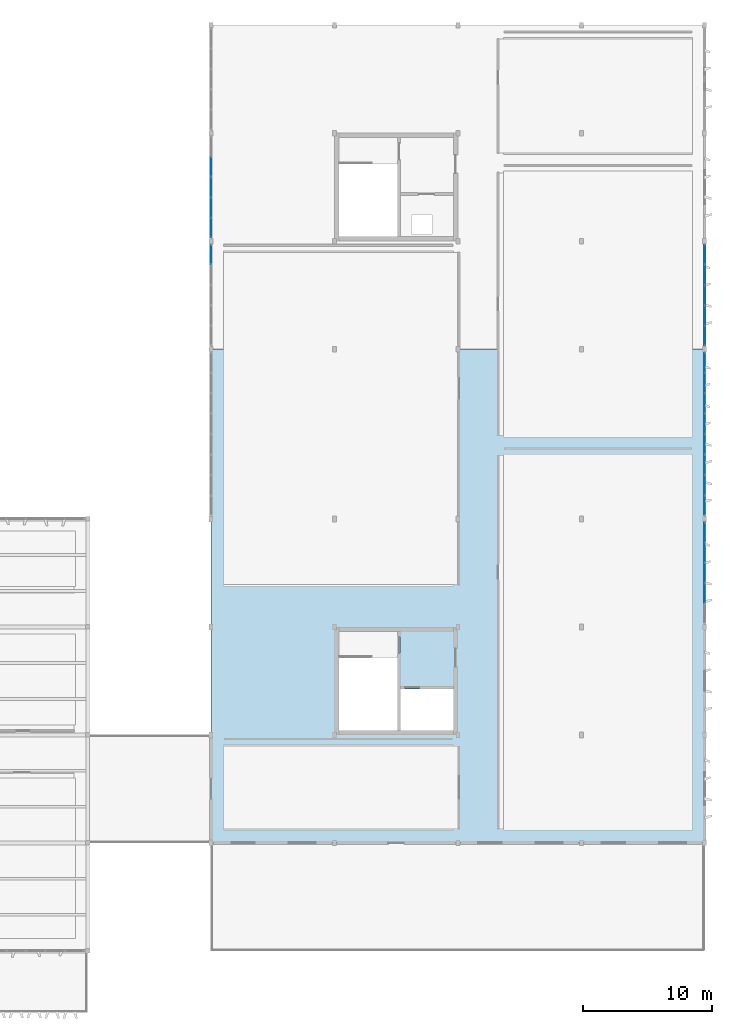
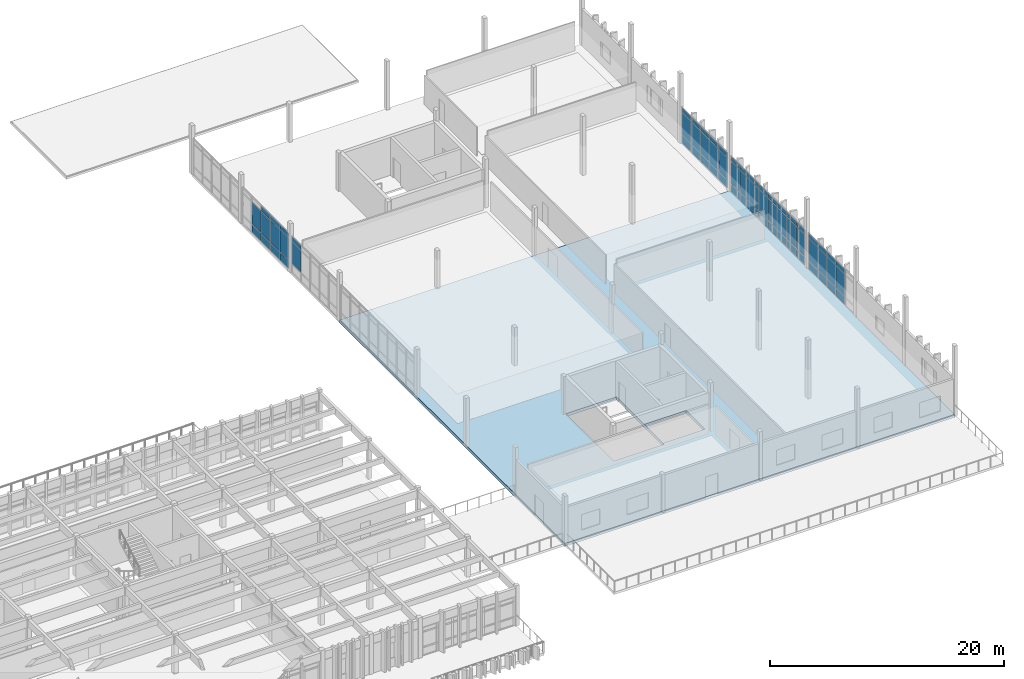
# One storey, part 35 of 61: 64 plates, 1 slab, 5 elements without a shape of their own.
"""IFC4 building model written with IfcOpenShell, lengths in metres."""

from ifc_helpers import new_model, si_unit, direction, frame, origin, origin_2d, place, context, subcontext, project, spatial, polyline, rectangle, outline, extrude, material, layer, layer_set, type_object, element, aggregate, save


model = new_model("IFC4")

# Units and contexts
model_context = context("Model", 3, precision=1e-05, world=origin(), true_north=direction((0.0, 1.0)))
body_context = subcontext(model_context, "Body", "Model", "MODEL_VIEW")
ifc_project = project(units=[si_unit("LENGTHUNIT", "METRE"), si_unit("AREAUNIT", "SQUARE_METRE"), si_unit("VOLUMEUNIT", "CUBIC_METRE"), si_unit("PLANEANGLEUNIT", "RADIAN"), si_unit("MASSUNIT", "GRAM", prefix="KILO")], contexts=[model_context])

# Site, building, storey
site_placement = place(None, origin())
site = spatial("IfcSite", under=ifc_project, at=site_placement, CompositionType="ELEMENT")
building_placement = place(site_placement, origin())
building = spatial("IfcBuilding", under=site, at=building_placement, Name="Kolvemor Railside Polytechnic", CompositionType="ELEMENT")
storey_placement = place(building_placement, frame((0.0, 0.0, 10.199951171875)))
storey = spatial("IfcBuildingStorey", under=building, at=storey_placement, Name="L02", CompositionType="ELEMENT", Elevation=10.199951171875)

# Curtain wall, plates
ifc_material_1 = material(Name="Anodised marine aluminium and laminated low-E glass", Category="aluminium")
ifc_layer_1 = layer(ifc_material_1, 0.179931640625, Name="CW-UNIT-STD")
ifc_layer_set_1 = layer_set([ifc_layer_1], Name="Anodised marine aluminium and laminated low-E glass")
curtain_wall_type = type_object("IfcCurtainWallType", Name="CW-UNIT-STD", PredefinedType="USERDEFINED", material=ifc_layer_set_1)
curtain_wall_1_placement = place(storey_placement, origin())
curtain_wall_1 = element("IfcCurtainWall", 1, at=curtain_wall_1_placement, inside=storey, type_object=curtain_wall_type, Name="Curtain Wall L02-051", ObjectType="UNITISED CURTAIN WALL", PredefinedType="USERDEFINED")
ifc_material_2 = material(Name="Hurricane-laminated solar-control low-E glass", Category="glass")
ifc_layer_2 = layer(ifc_material_2, 0.0400390625, Name="CWP-GLZ-10")
ifc_layer_set_2 = layer_set([ifc_layer_2], Name="Hurricane-laminated solar-control low-E glass")
plate_type_1 = type_object("IfcPlateType", Name="CWP-GLZ-10", PredefinedType="CURTAIN_PANEL", material=ifc_layer_set_2)
plate_1_placement = place(storey_placement, frame((182.39990234375, 32.615966796875, 0.074951171875), z_axis=(0.0, 0.0, 1.0), x_axis=(0.0, 1.0, 0.0)))
plate_1 = element("IfcPlate", 2, at=plate_1_placement, type_object=plate_type_1, Name="CW-STD panel 2.1", PredefinedType="CURTAIN_PANEL", context=body_context, shape_type="SweptSolid", body=[
    extrude(rectangle(XDim=1.509033203125, YDim=0.0400390625, at=origin_2d()), origin(), (0.0, 0.0, 1.0), 0.78759765625),
])
plate_2_placement = place(storey_placement, frame((182.39990234375, 32.615966796875, 0.9375), z_axis=(0.0, 0.0, 1.0), x_axis=(0.0, 1.0, 0.0)))
plate_2 = element("IfcPlate", 3, at=plate_2_placement, type_object=plate_type_1, Name="CW-STD panel 2.2", PredefinedType="CURTAIN_PANEL", context=body_context, shape_type="SweptSolid", body=[
    extrude(rectangle(XDim=1.509033203125, YDim=0.0400390625, at=origin_2d()), origin(), (0.0, 0.0, 1.0), 2.27490234375),
])
plate_3_placement = place(storey_placement, frame((182.39990234375, 32.615966796875, 3.28759765625), z_axis=(0.0, 0.0, 1.0), x_axis=(0.0, 1.0, 0.0)))
plate_3 = element("IfcPlate", 4, at=plate_3_placement, type_object=plate_type_1, Name="CW-STD panel 2.3", PredefinedType="CURTAIN_PANEL", context=body_context, shape_type="SweptSolid", body=[
    extrude(rectangle(XDim=1.509033203125, YDim=0.0400390625, at=origin_2d()), origin(), (0.0, 0.0, 1.0), 0.4375),
])
plate_4_placement = place(storey_placement, frame((182.39990234375, 34.199951171875, 0.074951171875), z_axis=(0.0, 0.0, 1.0), x_axis=(0.0, 1.0, 0.0)))
plate_4 = element("IfcPlate", 5, at=plate_4_placement, type_object=plate_type_1, Name="CW-STD panel 3.1", PredefinedType="CURTAIN_PANEL", context=body_context, shape_type="SweptSolid", body=[
    extrude(rectangle(XDim=1.509033203125, YDim=0.0400390625, at=origin_2d()), origin(), (0.0, 0.0, 1.0), 0.78759765625),
])
plate_5_placement = place(storey_placement, frame((182.39990234375, 34.199951171875, 0.9375), z_axis=(0.0, 0.0, 1.0), x_axis=(0.0, 1.0, 0.0)))
plate_5 = element("IfcPlate", 6, at=plate_5_placement, type_object=plate_type_1, Name="CW-STD panel 3.2", PredefinedType="CURTAIN_PANEL", context=body_context, shape_type="SweptSolid", body=[
    extrude(rectangle(XDim=1.509033203125, YDim=0.0400390625, at=origin_2d()), origin(), (0.0, 0.0, 1.0), 2.27490234375),
])
plate_6_placement = place(storey_placement, frame((182.39990234375, 34.199951171875, 3.28759765625), z_axis=(0.0, 0.0, 1.0), x_axis=(0.0, 1.0, 0.0)))
plate_6 = element("IfcPlate", 7, at=plate_6_placement, type_object=plate_type_1, Name="CW-STD panel 3.3", PredefinedType="CURTAIN_PANEL", context=body_context, shape_type="SweptSolid", body=[
    extrude(rectangle(XDim=1.509033203125, YDim=0.0400390625, at=origin_2d()), origin(), (0.0, 0.0, 1.0), 0.4375),
])
plate_7_placement = place(storey_placement, frame((182.39990234375, 35.783935546875, 0.074951171875), z_axis=(0.0, 0.0, 1.0), x_axis=(0.0, 1.0, 0.0)))
plate_7 = element("IfcPlate", 8, at=plate_7_placement, type_object=plate_type_1, Name="CW-STD panel 4.1", PredefinedType="CURTAIN_PANEL", context=body_context, shape_type="SweptSolid", body=[
    extrude(rectangle(XDim=1.509033203125, YDim=0.0400390625, at=origin_2d()), origin(), (0.0, 0.0, 1.0), 0.78759765625),
])
plate_8_placement = place(storey_placement, frame((182.39990234375, 35.783935546875, 0.9375), z_axis=(0.0, 0.0, 1.0), x_axis=(0.0, 1.0, 0.0)))
plate_8 = element("IfcPlate", 9, at=plate_8_placement, type_object=plate_type_1, Name="CW-STD panel 4.2", PredefinedType="CURTAIN_PANEL", context=body_context, shape_type="SweptSolid", body=[
    extrude(rectangle(XDim=1.509033203125, YDim=0.0400390625, at=origin_2d()), origin(), (0.0, 0.0, 1.0), 2.27490234375),
])
plate_9_placement = place(storey_placement, frame((182.39990234375, 35.783935546875, 3.28759765625), z_axis=(0.0, 0.0, 1.0), x_axis=(0.0, 1.0, 0.0)))
plate_9 = element("IfcPlate", 10, at=plate_9_placement, type_object=plate_type_1, Name="CW-STD panel 4.3", PredefinedType="CURTAIN_PANEL", context=body_context, shape_type="SweptSolid", body=[
    extrude(rectangle(XDim=1.509033203125, YDim=0.0400390625, at=origin_2d()), origin(), (0.0, 0.0, 1.0), 0.4375),
])
plate_10_placement = place(storey_placement, frame((182.39990234375, 37.349365234375, 0.074951171875), z_axis=(0.0, 0.0, 1.0), x_axis=(0.0, 1.0, 0.0)))
plate_10 = element("IfcPlate", 11, at=plate_10_placement, type_object=plate_type_1, Name="CW-STD panel 5.1", PredefinedType="CURTAIN_PANEL", context=body_context, shape_type="SweptSolid", body=[
    extrude(rectangle(XDim=1.471435546875, YDim=0.0400390625, at=origin_2d()), origin(), (0.0, 0.0, 1.0), 0.78759765625),
])
plate_11_placement = place(storey_placement, frame((182.39990234375, 37.349365234375, 0.9375), z_axis=(0.0, 0.0, 1.0), x_axis=(0.0, 1.0, 0.0)))
plate_11 = element("IfcPlate", 12, at=plate_11_placement, type_object=plate_type_1, Name="CW-STD panel 5.2", PredefinedType="CURTAIN_PANEL", context=body_context, shape_type="SweptSolid", body=[
    extrude(rectangle(XDim=1.471435546875, YDim=0.0400390625, at=origin_2d()), origin(), (0.0, 0.0, 1.0), 2.27490234375),
])
plate_12_placement = place(storey_placement, frame((182.39990234375, 37.349365234375, 3.28759765625), z_axis=(0.0, 0.0, 1.0), x_axis=(0.0, 1.0, 0.0)))
plate_12 = element("IfcPlate", 13, at=plate_12_placement, type_object=plate_type_1, Name="CW-STD panel 5.3", PredefinedType="CURTAIN_PANEL", context=body_context, shape_type="SweptSolid", body=[
    extrude(rectangle(XDim=1.471435546875, YDim=0.0400390625, at=origin_2d()), origin(), (0.0, 0.0, 1.0), 0.4375),
])
aggregate(curtain_wall_1, [plate_1, plate_2, plate_3, plate_4, plate_5, plate_6, plate_7, plate_8, plate_9, plate_10, plate_11, plate_12])

curtain_wall_2_placement = place(storey_placement, origin())
curtain_wall_2 = element("IfcCurtainWall", 14, at=curtain_wall_2_placement, inside=storey, type_object=curtain_wall_type, Name="Curtain Wall L02-063", ObjectType="UNITISED CURTAIN WALL", PredefinedType="USERDEFINED")
ifc_material_3 = material(Name="Hurricane-laminated solar-control low-E glass", Category="glass")
ifc_layer_3 = layer(ifc_material_3, 0.0419921875, Name="CWP-GLZ-11")
ifc_layer_set_3 = layer_set([ifc_layer_3], Name="Hurricane-laminated solar-control low-E glass")
plate_type_2 = type_object("IfcPlateType", Name="CWP-GLZ-11", PredefinedType="CURTAIN_PANEL", material=ifc_layer_set_3)
plate_13_placement = place(storey_placement, frame((182.39990234375, 39.453857421875, 0.074951171875), z_axis=(0.0, 0.0, 1.0), x_axis=(0.0, 1.0, 0.0)))
plate_13 = element("IfcPlate", 15, at=plate_13_placement, type_object=plate_type_2, Name="CW-STD panel 1.1", PredefinedType="CURTAIN_PANEL", context=body_context, shape_type="SweptSolid", body=[
    extrude(rectangle(XDim=1.4775390625, YDim=0.0419921875, at=origin_2d()), origin(), (0.0, 0.0, 1.0), 0.78759765625),
])
plate_14_placement = place(storey_placement, frame((182.39990234375, 39.453857421875, 0.9375), z_axis=(0.0, 0.0, 1.0), x_axis=(0.0, 1.0, 0.0)))
plate_14 = element("IfcPlate", 16, at=plate_14_placement, type_object=plate_type_2, Name="CW-STD panel 1.2", PredefinedType="CURTAIN_PANEL", context=body_context, shape_type="SweptSolid", body=[
    extrude(rectangle(XDim=1.4775390625, YDim=0.0419921875, at=origin_2d()), origin(), (0.0, 0.0, 1.0), 2.27490234375),
])
plate_15_placement = place(storey_placement, frame((182.39990234375, 39.453857421875, 3.28759765625), z_axis=(0.0, 0.0, 1.0), x_axis=(0.0, 1.0, 0.0)))
plate_15 = element("IfcPlate", 17, at=plate_15_placement, type_object=plate_type_2, Name="CW-STD panel 1.3", PredefinedType="CURTAIN_PANEL", context=body_context, shape_type="SweptSolid", body=[
    extrude(rectangle(XDim=1.4775390625, YDim=0.0419921875, at=origin_2d()), origin(), (0.0, 0.0, 1.0), 0.4375),
])
plate_16_placement = place(storey_placement, frame((182.39990234375, 41.02490234375, 0.074951171875), z_axis=(0.0, 0.0, 1.0), x_axis=(0.0, 1.0, 0.0)))
plate_16 = element("IfcPlate", 18, at=plate_16_placement, type_object=plate_type_2, Name="CW-STD panel 2.1", PredefinedType="CURTAIN_PANEL", context=body_context, shape_type="SweptSolid", body=[
    extrude(rectangle(XDim=1.514892578125, YDim=0.0419921875, at=origin_2d()), origin(), (0.0, 0.0, 1.0), 0.78759765625),
])
plate_17_placement = place(storey_placement, frame((182.39990234375, 41.02490234375, 0.9375), z_axis=(0.0, 0.0, 1.0), x_axis=(0.0, 1.0, 0.0)))
plate_17 = element("IfcPlate", 19, at=plate_17_placement, type_object=plate_type_2, Name="CW-STD panel 2.2", PredefinedType="CURTAIN_PANEL", context=body_context, shape_type="SweptSolid", body=[
    extrude(rectangle(XDim=1.514892578125, YDim=0.0419921875, at=origin_2d()), origin(), (0.0, 0.0, 1.0), 2.27490234375),
])
plate_18_placement = place(storey_placement, frame((182.39990234375, 41.02490234375, 3.28759765625), z_axis=(0.0, 0.0, 1.0), x_axis=(0.0, 1.0, 0.0)))
plate_18 = element("IfcPlate", 20, at=plate_18_placement, type_object=plate_type_2, Name="CW-STD panel 2.3", PredefinedType="CURTAIN_PANEL", context=body_context, shape_type="SweptSolid", body=[
    extrude(rectangle(XDim=1.514892578125, YDim=0.0419921875, at=origin_2d()), origin(), (0.0, 0.0, 1.0), 0.4375),
])
plate_19_placement = place(storey_placement, frame((182.39990234375, 42.614990234375, 0.074951171875), z_axis=(0.0, 0.0, 1.0), x_axis=(0.0, 1.0, 0.0)))
plate_19 = element("IfcPlate", 21, at=plate_19_placement, type_object=plate_type_2, Name="CW-STD panel 3.1", PredefinedType="CURTAIN_PANEL", context=body_context, shape_type="SweptSolid", body=[
    extrude(rectangle(XDim=1.514892578125, YDim=0.0419921875, at=origin_2d()), origin(), (0.0, 0.0, 1.0), 0.78759765625),
])
plate_20_placement = place(storey_placement, frame((182.39990234375, 42.614990234375, 0.9375), z_axis=(0.0, 0.0, 1.0), x_axis=(0.0, 1.0, 0.0)))
plate_20 = element("IfcPlate", 22, at=plate_20_placement, type_object=plate_type_2, Name="CW-STD panel 3.2", PredefinedType="CURTAIN_PANEL", context=body_context, shape_type="SweptSolid", body=[
    extrude(rectangle(XDim=1.514892578125, YDim=0.0419921875, at=origin_2d()), origin(), (0.0, 0.0, 1.0), 2.27490234375),
])
plate_21_placement = place(storey_placement, frame((182.39990234375, 42.614990234375, 3.28759765625), z_axis=(0.0, 0.0, 1.0), x_axis=(0.0, 1.0, 0.0)))
plate_21 = element("IfcPlate", 23, at=plate_21_placement, type_object=plate_type_2, Name="CW-STD panel 3.3", PredefinedType="CURTAIN_PANEL", context=body_context, shape_type="SweptSolid", body=[
    extrude(rectangle(XDim=1.514892578125, YDim=0.0419921875, at=origin_2d()), origin(), (0.0, 0.0, 1.0), 0.4375),
])
plate_22_placement = place(storey_placement, frame((182.39990234375, 44.205078125, 0.074951171875), z_axis=(0.0, 0.0, 1.0), x_axis=(0.0, 1.0, 0.0)))
plate_22 = element("IfcPlate", 24, at=plate_22_placement, type_object=plate_type_2, Name="CW-STD panel 4.1", PredefinedType="CURTAIN_PANEL", context=body_context, shape_type="SweptSolid", body=[
    extrude(rectangle(XDim=1.514892578125, YDim=0.0419921875, at=origin_2d()), origin(), (0.0, 0.0, 1.0), 0.78759765625),
])
plate_23_placement = place(storey_placement, frame((182.39990234375, 44.205078125, 0.9375), z_axis=(0.0, 0.0, 1.0), x_axis=(0.0, 1.0, 0.0)))
plate_23 = element("IfcPlate", 25, at=plate_23_placement, type_object=plate_type_2, Name="CW-STD panel 4.2", PredefinedType="CURTAIN_PANEL", context=body_context, shape_type="SweptSolid", body=[
    extrude(rectangle(XDim=1.514892578125, YDim=0.0419921875, at=origin_2d()), origin(), (0.0, 0.0, 1.0), 2.27490234375),
])
plate_24_placement = place(storey_placement, frame((182.39990234375, 44.205078125, 3.28759765625), z_axis=(0.0, 0.0, 1.0), x_axis=(0.0, 1.0, 0.0)))
plate_24 = element("IfcPlate", 26, at=plate_24_placement, type_object=plate_type_2, Name="CW-STD panel 4.3", PredefinedType="CURTAIN_PANEL", context=body_context, shape_type="SweptSolid", body=[
    extrude(rectangle(XDim=1.514892578125, YDim=0.0419921875, at=origin_2d()), origin(), (0.0, 0.0, 1.0), 0.4375),
])
plate_25_placement = place(storey_placement, frame((182.39990234375, 45.794921875, 0.074951171875), z_axis=(0.0, 0.0, 1.0), x_axis=(0.0, 1.0, 0.0)))
plate_25 = element("IfcPlate", 27, at=plate_25_placement, type_object=plate_type_2, Name="CW-STD panel 5.1", PredefinedType="CURTAIN_PANEL", context=body_context, shape_type="SweptSolid", body=[
    extrude(rectangle(XDim=1.514892578125, YDim=0.0419921875, at=origin_2d()), origin(), (0.0, 0.0, 1.0), 0.78759765625),
])
plate_26_placement = place(storey_placement, frame((182.39990234375, 45.794921875, 0.9375), z_axis=(0.0, 0.0, 1.0), x_axis=(0.0, 1.0, 0.0)))
plate_26 = element("IfcPlate", 28, at=plate_26_placement, type_object=plate_type_2, Name="CW-STD panel 5.2", PredefinedType="CURTAIN_PANEL", context=body_context, shape_type="SweptSolid", body=[
    extrude(rectangle(XDim=1.514892578125, YDim=0.0419921875, at=origin_2d()), origin(), (0.0, 0.0, 1.0), 2.27490234375),
])
plate_27_placement = place(storey_placement, frame((182.39990234375, 45.794921875, 3.28759765625), z_axis=(0.0, 0.0, 1.0), x_axis=(0.0, 1.0, 0.0)))
plate_27 = element("IfcPlate", 29, at=plate_27_placement, type_object=plate_type_2, Name="CW-STD panel 5.3", PredefinedType="CURTAIN_PANEL", context=body_context, shape_type="SweptSolid", body=[
    extrude(rectangle(XDim=1.514892578125, YDim=0.0419921875, at=origin_2d()), origin(), (0.0, 0.0, 1.0), 0.4375),
])
plate_28_placement = place(storey_placement, frame((182.39990234375, 47.385009765625, 0.074951171875), z_axis=(0.0, 0.0, 1.0), x_axis=(0.0, 1.0, 0.0)))
plate_28 = element("IfcPlate", 30, at=plate_28_placement, type_object=plate_type_2, Name="CW-STD panel 6.1", PredefinedType="CURTAIN_PANEL", context=body_context, shape_type="SweptSolid", body=[
    extrude(rectangle(XDim=1.514892578125, YDim=0.0419921875, at=origin_2d()), origin(), (0.0, 0.0, 1.0), 0.78759765625),
])
plate_29_placement = place(storey_placement, frame((182.39990234375, 47.385009765625, 0.9375), z_axis=(0.0, 0.0, 1.0), x_axis=(0.0, 1.0, 0.0)))
plate_29 = element("IfcPlate", 31, at=plate_29_placement, type_object=plate_type_2, Name="CW-STD panel 6.2", PredefinedType="CURTAIN_PANEL", context=body_context, shape_type="SweptSolid", body=[
    extrude(rectangle(XDim=1.514892578125, YDim=0.0419921875, at=origin_2d()), origin(), (0.0, 0.0, 1.0), 2.27490234375),
])
plate_30_placement = place(storey_placement, frame((182.39990234375, 47.385009765625, 3.28759765625), z_axis=(0.0, 0.0, 1.0), x_axis=(0.0, 1.0, 0.0)))
plate_30 = element("IfcPlate", 32, at=plate_30_placement, type_object=plate_type_2, Name="CW-STD panel 6.3", PredefinedType="CURTAIN_PANEL", context=body_context, shape_type="SweptSolid", body=[
    extrude(rectangle(XDim=1.514892578125, YDim=0.0419921875, at=origin_2d()), origin(), (0.0, 0.0, 1.0), 0.4375),
])
plate_31_placement = place(storey_placement, frame((182.39990234375, 48.97509765625, 0.074951171875), z_axis=(0.0, 0.0, 1.0), x_axis=(0.0, 1.0, 0.0)))
plate_31 = element("IfcPlate", 33, at=plate_31_placement, type_object=plate_type_2, Name="CW-STD panel 7.1", PredefinedType="CURTAIN_PANEL", context=body_context, shape_type="SweptSolid", body=[
    extrude(rectangle(XDim=1.514892578125, YDim=0.0419921875, at=origin_2d()), origin(), (0.0, 0.0, 1.0), 0.78759765625),
])
plate_32_placement = place(storey_placement, frame((182.39990234375, 48.97509765625, 0.9375), z_axis=(0.0, 0.0, 1.0), x_axis=(0.0, 1.0, 0.0)))
plate_32 = element("IfcPlate", 34, at=plate_32_placement, type_object=plate_type_2, Name="CW-STD panel 7.2", PredefinedType="CURTAIN_PANEL", context=body_context, shape_type="SweptSolid", body=[
    extrude(rectangle(XDim=1.514892578125, YDim=0.0419921875, at=origin_2d()), origin(), (0.0, 0.0, 1.0), 2.27490234375),
])
plate_33_placement = place(storey_placement, frame((182.39990234375, 48.97509765625, 3.28759765625), z_axis=(0.0, 0.0, 1.0), x_axis=(0.0, 1.0, 0.0)))
plate_33 = element("IfcPlate", 35, at=plate_33_placement, type_object=plate_type_2, Name="CW-STD panel 7.3", PredefinedType="CURTAIN_PANEL", context=body_context, shape_type="SweptSolid", body=[
    extrude(rectangle(XDim=1.514892578125, YDim=0.0419921875, at=origin_2d()), origin(), (0.0, 0.0, 1.0), 0.4375),
])
plate_34_placement = place(storey_placement, frame((182.39990234375, 50.546142578125, 0.074951171875), z_axis=(0.0, 0.0, 1.0), x_axis=(0.0, 1.0, 0.0)))
plate_34 = element("IfcPlate", 36, at=plate_34_placement, type_object=plate_type_2, Name="CW-STD panel 8.1", PredefinedType="CURTAIN_PANEL", context=body_context, shape_type="SweptSolid", body=[
    extrude(rectangle(XDim=1.4775390625, YDim=0.0419921875, at=origin_2d()), origin(), (0.0, 0.0, 1.0), 0.78759765625),
])
plate_35_placement = place(storey_placement, frame((182.39990234375, 50.546142578125, 0.9375), z_axis=(0.0, 0.0, 1.0), x_axis=(0.0, 1.0, 0.0)))
plate_35 = element("IfcPlate", 37, at=plate_35_placement, type_object=plate_type_2, Name="CW-STD panel 8.2", PredefinedType="CURTAIN_PANEL", context=body_context, shape_type="SweptSolid", body=[
    extrude(rectangle(XDim=1.4775390625, YDim=0.0419921875, at=origin_2d()), origin(), (0.0, 0.0, 1.0), 2.27490234375),
])
plate_36_placement = place(storey_placement, frame((182.39990234375, 50.546142578125, 3.28759765625), z_axis=(0.0, 0.0, 1.0), x_axis=(0.0, 1.0, 0.0)))
plate_36 = element("IfcPlate", 38, at=plate_36_placement, type_object=plate_type_2, Name="CW-STD panel 8.3", PredefinedType="CURTAIN_PANEL", context=body_context, shape_type="SweptSolid", body=[
    extrude(rectangle(XDim=1.4775390625, YDim=0.0419921875, at=origin_2d()), origin(), (0.0, 0.0, 1.0), 0.4375),
])
aggregate(curtain_wall_2, [plate_13, plate_14, plate_15, plate_16, plate_17, plate_18, plate_19, plate_20, plate_21, plate_22, plate_23, plate_24, plate_25, plate_26, plate_27, plate_28, plate_29, plate_30, plate_31, plate_32, plate_33, plate_34, plate_35, plate_36])

curtain_wall_3_placement = place(storey_placement, origin())
curtain_wall_3 = element("IfcCurtainWall", 39, at=curtain_wall_3_placement, inside=storey, type_object=curtain_wall_type, Name="Curtain Wall L02-073", ObjectType="UNITISED CURTAIN WALL", PredefinedType="USERDEFINED")
ifc_material_4 = material(Name="Hurricane-laminated solar-control low-E glass", Category="glass")
ifc_layer_4 = layer(ifc_material_4, 0.0439453125, Name="CWP-GLZ-12")
ifc_layer_set_4 = layer_set([ifc_layer_4], Name="Hurricane-laminated solar-control low-E glass")
plate_type_3 = type_object("IfcPlateType", Name="CWP-GLZ-12", PredefinedType="CURTAIN_PANEL", material=ifc_layer_set_4)
plate_37_placement = place(storey_placement, frame((182.39990234375, 52.650634765625, 0.074951171875), z_axis=(0.0, 0.0, 1.0), x_axis=(0.0, 1.0, 0.0)))
plate_37 = element("IfcPlate", 40, at=plate_37_placement, type_object=plate_type_3, Name="CW-STD panel 1.1", PredefinedType="CURTAIN_PANEL", context=body_context, shape_type="SweptSolid", body=[
    extrude(rectangle(XDim=1.471435546875, YDim=0.0439453125, at=origin_2d()), origin(), (0.0, 0.0, 1.0), 0.78759765625),
])
plate_38_placement = place(storey_placement, frame((182.39990234375, 52.650634765625, 0.9375), z_axis=(0.0, 0.0, 1.0), x_axis=(0.0, 1.0, 0.0)))
plate_38 = element("IfcPlate", 41, at=plate_38_placement, type_object=plate_type_3, Name="CW-STD panel 1.2", PredefinedType="CURTAIN_PANEL", context=body_context, shape_type="SweptSolid", body=[
    extrude(rectangle(XDim=1.471435546875, YDim=0.0439453125, at=origin_2d()), origin(), (0.0, 0.0, 1.0), 2.27490234375),
])
plate_39_placement = place(storey_placement, frame((182.39990234375, 52.650634765625, 3.28759765625), z_axis=(0.0, 0.0, 1.0), x_axis=(0.0, 1.0, 0.0)))
plate_39 = element("IfcPlate", 42, at=plate_39_placement, type_object=plate_type_3, Name="CW-STD panel 1.3", PredefinedType="CURTAIN_PANEL", context=body_context, shape_type="SweptSolid", body=[
    extrude(rectangle(XDim=1.471435546875, YDim=0.0439453125, at=origin_2d()), origin(), (0.0, 0.0, 1.0), 0.4375),
])
plate_40_placement = place(storey_placement, frame((182.39990234375, 54.216064453125, 0.074951171875), z_axis=(0.0, 0.0, 1.0), x_axis=(0.0, 1.0, 0.0)))
plate_40 = element("IfcPlate", 43, at=plate_40_placement, type_object=plate_type_3, Name="CW-STD panel 2.1", PredefinedType="CURTAIN_PANEL", context=body_context, shape_type="SweptSolid", body=[
    extrude(rectangle(XDim=1.509033203125, YDim=0.0439453125, at=origin_2d()), origin(), (0.0, 0.0, 1.0), 0.78759765625),
])
plate_41_placement = place(storey_placement, frame((182.39990234375, 54.216064453125, 0.9375), z_axis=(0.0, 0.0, 1.0), x_axis=(0.0, 1.0, 0.0)))
plate_41 = element("IfcPlate", 44, at=plate_41_placement, type_object=plate_type_3, Name="CW-STD panel 2.2", PredefinedType="CURTAIN_PANEL", context=body_context, shape_type="SweptSolid", body=[
    extrude(rectangle(XDim=1.509033203125, YDim=0.0439453125, at=origin_2d()), origin(), (0.0, 0.0, 1.0), 2.27490234375),
])
plate_42_placement = place(storey_placement, frame((182.39990234375, 54.216064453125, 3.28759765625), z_axis=(0.0, 0.0, 1.0), x_axis=(0.0, 1.0, 0.0)))
plate_42 = element("IfcPlate", 45, at=plate_42_placement, type_object=plate_type_3, Name="CW-STD panel 2.3", PredefinedType="CURTAIN_PANEL", context=body_context, shape_type="SweptSolid", body=[
    extrude(rectangle(XDim=1.509033203125, YDim=0.0439453125, at=origin_2d()), origin(), (0.0, 0.0, 1.0), 0.4375),
])
plate_43_placement = place(storey_placement, frame((182.39990234375, 55.800048828125, 0.074951171875), z_axis=(0.0, 0.0, 1.0), x_axis=(0.0, 1.0, 0.0)))
plate_43 = element("IfcPlate", 46, at=plate_43_placement, type_object=plate_type_3, Name="CW-STD panel 3.1", PredefinedType="CURTAIN_PANEL", context=body_context, shape_type="SweptSolid", body=[
    extrude(rectangle(XDim=1.509033203125, YDim=0.0439453125, at=origin_2d()), origin(), (0.0, 0.0, 1.0), 0.78759765625),
])
plate_44_placement = place(storey_placement, frame((182.39990234375, 55.800048828125, 0.9375), z_axis=(0.0, 0.0, 1.0), x_axis=(0.0, 1.0, 0.0)))
plate_44 = element("IfcPlate", 47, at=plate_44_placement, type_object=plate_type_3, Name="CW-STD panel 3.2", PredefinedType="CURTAIN_PANEL", context=body_context, shape_type="SweptSolid", body=[
    extrude(rectangle(XDim=1.509033203125, YDim=0.0439453125, at=origin_2d()), origin(), (0.0, 0.0, 1.0), 2.27490234375),
])
plate_45_placement = place(storey_placement, frame((182.39990234375, 55.800048828125, 3.28759765625), z_axis=(0.0, 0.0, 1.0), x_axis=(0.0, 1.0, 0.0)))
plate_45 = element("IfcPlate", 48, at=plate_45_placement, type_object=plate_type_3, Name="CW-STD panel 3.3", PredefinedType="CURTAIN_PANEL", context=body_context, shape_type="SweptSolid", body=[
    extrude(rectangle(XDim=1.509033203125, YDim=0.0439453125, at=origin_2d()), origin(), (0.0, 0.0, 1.0), 0.4375),
])
plate_46_placement = place(storey_placement, frame((182.39990234375, 57.384033203125, 0.074951171875), z_axis=(0.0, 0.0, 1.0), x_axis=(0.0, 1.0, 0.0)))
plate_46 = element("IfcPlate", 49, at=plate_46_placement, type_object=plate_type_3, Name="CW-STD panel 4.1", PredefinedType="CURTAIN_PANEL", context=body_context, shape_type="SweptSolid", body=[
    extrude(rectangle(XDim=1.509033203125, YDim=0.0439453125, at=origin_2d()), origin(), (0.0, 0.0, 1.0), 0.78759765625),
])
plate_47_placement = place(storey_placement, frame((182.39990234375, 57.384033203125, 0.9375), z_axis=(0.0, 0.0, 1.0), x_axis=(0.0, 1.0, 0.0)))
plate_47 = element("IfcPlate", 50, at=plate_47_placement, type_object=plate_type_3, Name="CW-STD panel 4.2", PredefinedType="CURTAIN_PANEL", context=body_context, shape_type="SweptSolid", body=[
    extrude(rectangle(XDim=1.509033203125, YDim=0.0439453125, at=origin_2d()), origin(), (0.0, 0.0, 1.0), 2.27490234375),
])
plate_48_placement = place(storey_placement, frame((182.39990234375, 57.384033203125, 3.28759765625), z_axis=(0.0, 0.0, 1.0), x_axis=(0.0, 1.0, 0.0)))
plate_48 = element("IfcPlate", 51, at=plate_48_placement, type_object=plate_type_3, Name="CW-STD panel 4.3", PredefinedType="CURTAIN_PANEL", context=body_context, shape_type="SweptSolid", body=[
    extrude(rectangle(XDim=1.509033203125, YDim=0.0439453125, at=origin_2d()), origin(), (0.0, 0.0, 1.0), 0.4375),
])
plate_49_placement = place(storey_placement, frame((182.39990234375, 58.94921875, 0.074951171875), z_axis=(0.0, 0.0, 1.0), x_axis=(0.0, 1.0, 0.0)))
plate_49 = element("IfcPlate", 52, at=plate_49_placement, type_object=plate_type_3, Name="CW-STD panel 5.1", PredefinedType="CURTAIN_PANEL", context=body_context, shape_type="SweptSolid", body=[
    extrude(rectangle(XDim=1.471435546875, YDim=0.0439453125, at=origin_2d()), origin(), (0.0, 0.0, 1.0), 0.78759765625),
])
plate_50_placement = place(storey_placement, frame((182.39990234375, 58.94921875, 0.9375), z_axis=(0.0, 0.0, 1.0), x_axis=(0.0, 1.0, 0.0)))
plate_50 = element("IfcPlate", 53, at=plate_50_placement, type_object=plate_type_3, Name="CW-STD panel 5.2", PredefinedType="CURTAIN_PANEL", context=body_context, shape_type="SweptSolid", body=[
    extrude(rectangle(XDim=1.471435546875, YDim=0.0439453125, at=origin_2d()), origin(), (0.0, 0.0, 1.0), 2.27490234375),
])
plate_51_placement = place(storey_placement, frame((182.39990234375, 58.94921875, 3.28759765625), z_axis=(0.0, 0.0, 1.0), x_axis=(0.0, 1.0, 0.0)))
plate_51 = element("IfcPlate", 54, at=plate_51_placement, type_object=plate_type_3, Name="CW-STD panel 5.3", PredefinedType="CURTAIN_PANEL", context=body_context, shape_type="SweptSolid", body=[
    extrude(rectangle(XDim=1.471435546875, YDim=0.0439453125, at=origin_2d()), origin(), (0.0, 0.0, 1.0), 0.4375),
])
aggregate(curtain_wall_3, [plate_37, plate_38, plate_39, plate_40, plate_41, plate_42, plate_43, plate_44, plate_45, plate_46, plate_47, plate_48, plate_49, plate_50, plate_51])

curtain_wall_4_placement = place(storey_placement, origin())
curtain_wall_4 = element("IfcCurtainWall", 55, at=curtain_wall_4_placement, inside=storey, type_object=curtain_wall_type, Name="Curtain Wall L02-074", ObjectType="UNITISED CURTAIN WALL", PredefinedType="USERDEFINED")
ifc_material_5 = material(Name="Hurricane-laminated solar-control low-E glass", Category="glass")
ifc_layer_5 = layer(ifc_material_5, 0.048095703125, Name="CWP-GLZ-14")
ifc_layer_set_5 = layer_set([ifc_layer_5], Name="Hurricane-laminated solar-control low-E glass")
plate_type_4 = type_object("IfcPlateType", Name="CWP-GLZ-14", PredefinedType="CURTAIN_PANEL", material=ifc_layer_set_5)
plate_52_placement = place(storey_placement, frame((144.0, 58.94921875, 0.9375), z_axis=(0.0, 0.0, 1.0), x_axis=(0.0, -1.0, 0.0)))
plate_52 = element("IfcPlate", 56, at=plate_52_placement, type_object=plate_type_4, Name="CW-STD panel 1.2", PredefinedType="CURTAIN_PANEL", context=body_context, shape_type="SweptSolid", body=[
    extrude(rectangle(XDim=1.471435546875, YDim=0.048095703125, at=origin_2d()), origin(), (0.0, 0.0, 1.0), 2.27490234375),
])
plate_53_placement = place(storey_placement, frame((144.0, 58.94921875, 3.28759765625), z_axis=(0.0, 0.0, 1.0), x_axis=(0.0, -1.0, 0.0)))
plate_53 = element("IfcPlate", 57, at=plate_53_placement, type_object=plate_type_4, Name="CW-STD panel 1.3", PredefinedType="CURTAIN_PANEL", context=body_context, shape_type="SweptSolid", body=[
    extrude(rectangle(XDim=1.471435546875, YDim=0.048095703125, at=origin_2d()), origin(), (0.0, 0.0, 1.0), 0.4375),
])
aggregate(curtain_wall_4, [plate_52, plate_53])

curtain_wall_5_placement = place(storey_placement, origin())
curtain_wall_5 = element("IfcCurtainWall", 58, at=curtain_wall_5_placement, inside=storey, type_object=curtain_wall_type, Name="Curtain Wall L02-081", ObjectType="UNITISED CURTAIN WALL", PredefinedType="USERDEFINED")
ifc_material_6 = material(Name="Hurricane-laminated solar-control low-E glass", Category="glass")
ifc_layer_6 = layer(ifc_material_6, 0.050048828125, Name="CWP-GLZ-15")
ifc_layer_set_6 = layer_set([ifc_layer_6], Name="Hurricane-laminated solar-control low-E glass")
plate_type_5 = type_object("IfcPlateType", Name="CWP-GLZ-15", PredefinedType="CURTAIN_PANEL", material=ifc_layer_set_6)
plate_54_placement = place(storey_placement, frame((144.0, 65.783935546875, 0.074951171875), z_axis=(0.0, 0.0, 1.0), x_axis=(0.0, -1.0, 0.0)))
plate_54 = element("IfcPlate", 59, at=plate_54_placement, type_object=plate_type_5, Name="CW-STD panel 2.1", PredefinedType="CURTAIN_PANEL", context=body_context, shape_type="SweptSolid", body=[
    extrude(rectangle(XDim=1.509033203125, YDim=0.050048828125, at=origin_2d()), origin(), (0.0, 0.0, 1.0), 0.78759765625),
])
plate_55_placement = place(storey_placement, frame((144.0, 65.783935546875, 0.9375), z_axis=(0.0, 0.0, 1.0), x_axis=(0.0, -1.0, 0.0)))
plate_55 = element("IfcPlate", 60, at=plate_55_placement, type_object=plate_type_5, Name="CW-STD panel 2.2", PredefinedType="CURTAIN_PANEL", context=body_context, shape_type="SweptSolid", body=[
    extrude(rectangle(XDim=1.509033203125, YDim=0.050048828125, at=origin_2d()), origin(), (0.0, 0.0, 1.0), 2.27490234375),
])
plate_56_placement = place(storey_placement, frame((144.0, 64.199951171875, 0.074951171875), z_axis=(0.0, 0.0, 1.0), x_axis=(0.0, -1.0, 0.0)))
plate_56 = element("IfcPlate", 61, at=plate_56_placement, type_object=plate_type_5, Name="CW-STD panel 3.1", PredefinedType="CURTAIN_PANEL", context=body_context, shape_type="SweptSolid", body=[
    extrude(rectangle(XDim=1.509033203125, YDim=0.050048828125, at=origin_2d()), origin(), (0.0, 0.0, 1.0), 0.78759765625),
])
plate_57_placement = place(storey_placement, frame((144.0, 64.199951171875, 0.9375), z_axis=(0.0, 0.0, 1.0), x_axis=(0.0, -1.0, 0.0)))
plate_57 = element("IfcPlate", 62, at=plate_57_placement, type_object=plate_type_5, Name="CW-STD panel 3.2", PredefinedType="CURTAIN_PANEL", context=body_context, shape_type="SweptSolid", body=[
    extrude(rectangle(XDim=1.509033203125, YDim=0.050048828125, at=origin_2d()), origin(), (0.0, 0.0, 1.0), 2.27490234375),
])
plate_58_placement = place(storey_placement, frame((144.0, 64.199951171875, 3.28759765625), z_axis=(0.0, 0.0, 1.0), x_axis=(0.0, -1.0, 0.0)))
plate_58 = element("IfcPlate", 63, at=plate_58_placement, type_object=plate_type_5, Name="CW-STD panel 3.3", PredefinedType="CURTAIN_PANEL", context=body_context, shape_type="SweptSolid", body=[
    extrude(rectangle(XDim=1.509033203125, YDim=0.050048828125, at=origin_2d()), origin(), (0.0, 0.0, 1.0), 0.4375),
])
plate_59_placement = place(storey_placement, frame((144.0, 62.615966796875, 0.074951171875), z_axis=(0.0, 0.0, 1.0), x_axis=(0.0, -1.0, 0.0)))
plate_59 = element("IfcPlate", 64, at=plate_59_placement, type_object=plate_type_5, Name="CW-STD panel 4.1", PredefinedType="CURTAIN_PANEL", context=body_context, shape_type="SweptSolid", body=[
    extrude(rectangle(XDim=1.509033203125, YDim=0.050048828125, at=origin_2d()), origin(), (0.0, 0.0, 1.0), 0.78759765625),
])
plate_60_placement = place(storey_placement, frame((144.0, 62.615966796875, 0.9375), z_axis=(0.0, 0.0, 1.0), x_axis=(0.0, -1.0, 0.0)))
plate_60 = element("IfcPlate", 65, at=plate_60_placement, type_object=plate_type_5, Name="CW-STD panel 4.2", PredefinedType="CURTAIN_PANEL", context=body_context, shape_type="SweptSolid", body=[
    extrude(rectangle(XDim=1.509033203125, YDim=0.050048828125, at=origin_2d()), origin(), (0.0, 0.0, 1.0), 2.27490234375),
])
plate_61_placement = place(storey_placement, frame((144.0, 62.615966796875, 3.28759765625), z_axis=(0.0, 0.0, 1.0), x_axis=(0.0, -1.0, 0.0)))
plate_61 = element("IfcPlate", 66, at=plate_61_placement, type_object=plate_type_5, Name="CW-STD panel 4.3", PredefinedType="CURTAIN_PANEL", context=body_context, shape_type="SweptSolid", body=[
    extrude(rectangle(XDim=1.509033203125, YDim=0.050048828125, at=origin_2d()), origin(), (0.0, 0.0, 1.0), 0.4375),
])
plate_62_placement = place(storey_placement, frame((144.0, 61.05078125, 0.074951171875), z_axis=(0.0, 0.0, 1.0), x_axis=(0.0, -1.0, 0.0)))
plate_62 = element("IfcPlate", 67, at=plate_62_placement, type_object=plate_type_5, Name="CW-STD panel 5.1", PredefinedType="CURTAIN_PANEL", context=body_context, shape_type="SweptSolid", body=[
    extrude(rectangle(XDim=1.471435546875, YDim=0.050048828125, at=origin_2d()), origin(), (0.0, 0.0, 1.0), 0.78759765625),
])
plate_63_placement = place(storey_placement, frame((144.0, 61.05078125, 0.9375), z_axis=(0.0, 0.0, 1.0), x_axis=(0.0, -1.0, 0.0)))
plate_63 = element("IfcPlate", 68, at=plate_63_placement, type_object=plate_type_5, Name="CW-STD panel 5.2", PredefinedType="CURTAIN_PANEL", context=body_context, shape_type="SweptSolid", body=[
    extrude(rectangle(XDim=1.471435546875, YDim=0.050048828125, at=origin_2d()), origin(), (0.0, 0.0, 1.0), 2.27490234375),
])
plate_64_placement = place(storey_placement, frame((144.0, 61.05078125, 3.28759765625), z_axis=(0.0, 0.0, 1.0), x_axis=(0.0, -1.0, 0.0)))
plate_64 = element("IfcPlate", 69, at=plate_64_placement, type_object=plate_type_5, Name="CW-STD panel 5.3", PredefinedType="CURTAIN_PANEL", context=body_context, shape_type="SweptSolid", body=[
    extrude(rectangle(XDim=1.471435546875, YDim=0.050048828125, at=origin_2d()), origin(), (0.0, 0.0, 1.0), 0.4375),
])
aggregate(curtain_wall_5, [plate_54, plate_55, plate_56, plate_57, plate_58, plate_59, plate_60, plate_61, plate_62, plate_63, plate_64])

# Slab
ifc_material_7 = material(Name="Concrete C40/50", Category="concrete")
ifc_layer_7 = layer(ifc_material_7, 0.320068359375, Name="SLB-POD-SEP")
ifc_layer_set_7 = layer_set([ifc_layer_7], Name="Concrete C40/50")
slab_type = type_object("IfcSlabType", Name="SLB-POD-SEP", PredefinedType="FLOOR", material=ifc_layer_set_7)
slab_placement = place(storey_placement, frame((0.0, 0.0, -0.320068359375)))
element("IfcSlab", 70, at=slab_placement, inside=storey, type_object=slab_type, Name="V4 Lounge L02 South Slab L02-71", PredefinedType="FLOOR", context=body_context, shape_type="SweptSolid", body=[
    extrude(outline(polyline([(144.0, 13.199951171875), (182.39990234375, 13.199951171875), (182.39990234375, 51.60009765625), (144.0, 51.60009765625), (144.0, 13.199951171875)]), holes=[polyline([(153.739990234375, 21.739990234375), (158.7099609375, 21.739990234375), (158.7099609375, 29.860107421875), (153.739990234375, 29.860107421875), (153.739990234375, 21.739990234375)]), polyline([(158.75, 21.949951171875), (162.85009765625, 21.949951171875), (162.85009765625, 25.14990234375), (158.75, 25.14990234375), (158.75, 21.949951171875)])]), origin(), (0.0, 0.0, 1.0), 0.320068359375),
])

save(model, "model.ifc")
